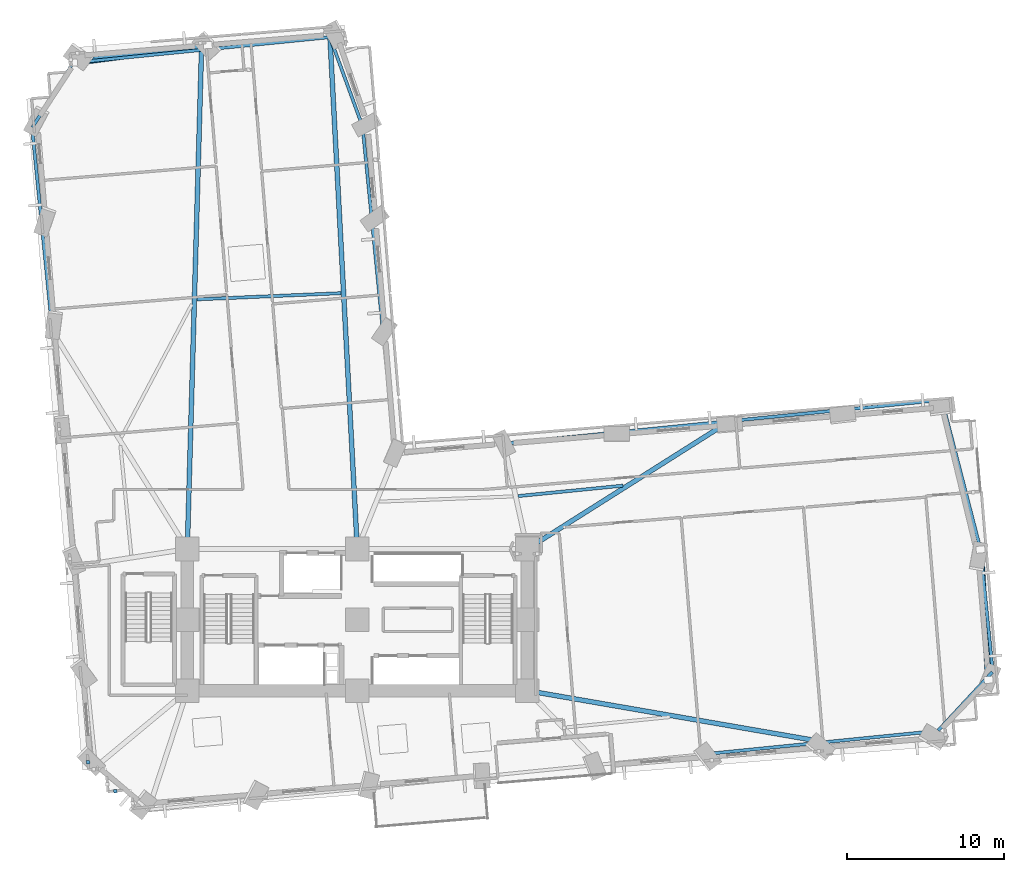
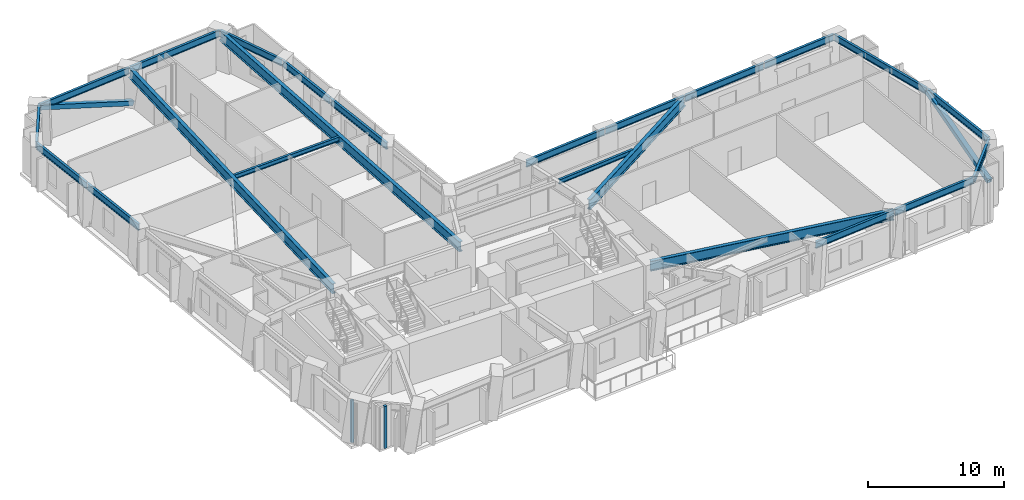
# One storey, part 2 of 14: 23 beams, 2 members, 2 plates.
"""IFC4 building model written with IfcOpenShell, lengths in metres."""

from ifc_helpers import new_model, si_unit, direction, frame, origin, origin_2d, place, context, subcontext, project, spatial, rectangle, hollow_rectangle, i_section, extrude, material, layer, layer_set, material_profile, profile_set, type_object, element, save


model = new_model("IFC4")

# Units and contexts
model_context = context("Model", 3, precision=1e-05, world=origin(), true_north=direction((0.0, 1.0)))
body_context = subcontext(model_context, "Body", "Model", "MODEL_VIEW")
ifc_project = project(units=[si_unit("LENGTHUNIT", "METRE"), si_unit("AREAUNIT", "SQUARE_METRE"), si_unit("VOLUMEUNIT", "CUBIC_METRE"), si_unit("PLANEANGLEUNIT", "RADIAN"), si_unit("MASSUNIT", "GRAM", prefix="KILO")], contexts=[model_context])

# Site, building, storey
site_placement = place(None, origin())
site = spatial("IfcSite", under=ifc_project, at=site_placement, CompositionType="ELEMENT")
building_placement = place(site_placement, origin())
building = spatial("IfcBuilding", under=site, at=building_placement, Name="Gaonmaruhae Medical Tower", CompositionType="ELEMENT")
storey_placement = place(building_placement, frame((0.0, 0.0, 43.0)))
storey = spatial("IfcBuildingStorey", under=building, at=storey_placement, Name="L09", CompositionType="ELEMENT", Elevation=43.0)

# Beams
ifc_material_1 = material(Name="Steel SM355", Category="steel")
ifc_material_profile_1 = material_profile(ifc_material_1, i_section(OverallWidth=0.199951171875, OverallDepth=0.39990234375, WebThickness=0.008056640625, FlangeThickness=0.012939453125, FilletRadius=0.012939453125, at=origin_2d()), Name="H-400x200x8x13")
ifc_profile_set_1 = profile_set([ifc_material_profile_1], Name="Steel SM355")
beam_type_1 = type_object("IfcBeamType", Name="FJ-01 Lower Zone Ward Floor Joist (H-400x200x8x13)", PredefinedType="JOIST", material=ifc_profile_set_1)
beam_1_placement = place(storey_placement, frame((41.69091796875, 20.829345703125, 3.580078125), z_axis=(-0.995057007987, -0.099305341526, 0.0), x_axis=(0.099305341526, -0.995057007987, 0.0)))
element("IfcBeam", 1, at=beam_1_placement, inside=storey, type_object=beam_type_1, Name="L09 Secondary Floor Joist FJ05", PredefinedType="JOIST", context=body_context, shape_type="SweptSolid", body=[
    extrude(i_section(OverallWidth=0.199951171875, OverallDepth=0.39990234375, WebThickness=0.008056640625, FlangeThickness=0.012939453125, FilletRadius=0.012939453125, at=origin_2d()), origin(), (0.0, 0.0, 1.0), 6.701904296875),
])
beam_2_placement = place(storey_placement, frame((23.775146484375, 33.0556640625, 3.580078125), z_axis=(-0.999078663373, -0.042916481598, 0.0), x_axis=(0.042916481598, -0.999078663373, 0.0)))
element("IfcBeam", 2, at=beam_2_placement, inside=storey, type_object=beam_type_1, Name="L09 Secondary Floor Joist FJ08", PredefinedType="JOIST", context=body_context, shape_type="SweptSolid", body=[
    extrude(i_section(OverallWidth=0.199951171875, OverallDepth=0.39990234375, WebThickness=0.008056640625, FlangeThickness=0.012939453125, FilletRadius=0.012939453125, at=origin_2d()), origin(), (0.0, 0.0, 1.0), 9.176025390625),
])

# Members
ifc_material_2 = material(Name="Steel SM420", Category="steel")
ifc_material_profile_2 = material_profile(ifc_material_2, hollow_rectangle(XDim=0.39990234375, YDim=0.39990234375, WallThickness=0.01611328125, at=origin_2d()), Name="RHS-400x400x16")
ifc_profile_set_2 = profile_set([ifc_material_profile_2], Name="Steel SM420")
member_type = type_object("IfcMemberType", Name="PB-01 Perimeter Solid-Bay Tube Brace Lower (RHS-400x400x16)", PredefinedType="BRACE", material=ifc_profile_set_2)
member_1_placement = place(storey_placement, frame((64.908447265625, 8.486572265625, 0.25), z_axis=(-0.056992363314, 0.928239518861, 0.367591167125), x_axis=(-0.998120434533, -0.061282935363, 0.0)))
element("IfcMember", 3, at=member_1_placement, inside=storey, type_object=member_type, Name="L09 Perimeter Tube Solid-Bay Brace E01-E02", PredefinedType="BRACE", context=body_context, shape_type="SweptSolid", body=[
    extrude(hollow_rectangle(XDim=0.39990234375, YDim=0.39990234375, WallThickness=0.01611328125, at=origin_2d()), origin(), (0.0, 0.0, 1.0), 8.923095703125),
])
member_2_placement = place(storey_placement, frame((15.29833984375, 48.81689453125, 0.25), z_axis=(-0.926814106366, -0.121452268034, 0.355337809458), x_axis=(0.129931889057, -0.991522921675, 0.0)))
element("IfcMember", 4, at=member_2_placement, inside=storey, type_object=member_type, Name="L09 Perimeter Tube Solid-Bay Brace N02-N03", PredefinedType="BRACE", context=body_context, shape_type="SweptSolid", body=[
    extrude(hollow_rectangle(XDim=0.39990234375, YDim=0.39990234375, WallThickness=0.01611328125, at=origin_2d()), origin(), (0.0, 0.0, 1.0), 9.230712890625),
])

# Beams
ifc_material_profile_3 = material_profile(ifc_material_2, i_section(OverallWidth=0.300048828125, OverallDepth=0.89990234375, WebThickness=0.01611328125, FlangeThickness=0.028076171875, FilletRadius=0.01806640625, at=origin_2d()), Name="H-900x300x16x28")
ifc_profile_set_3 = profile_set([ifc_material_profile_3], Name="Steel SM420")
beam_type_2 = type_object("IfcBeamType", Name="PG-01 Zone 1 Radial Floor Girder (H-900x300x16x28)", PredefinedType="BEAM", material=ifc_profile_set_3)
beam_3_placement = place(storey_placement, frame((35.649169921875, 7.79150390625, 3.330078125), z_axis=(0.985360749327, -0.170482238623, 0.0), x_axis=(0.170482238623, 0.985360749327, 0.0)))
element("IfcBeam", 5, at=beam_3_placement, inside=storey, type_object=beam_type_2, Name="L09 Radial Primary Girder S07", PredefinedType="BEAM", context=body_context, shape_type="SweptSolid", body=[
    extrude(i_section(OverallWidth=0.300048828125, OverallDepth=0.89990234375, WebThickness=0.01611328125, FlangeThickness=0.028076171875, FilletRadius=0.01806640625, at=origin_2d()), origin(), (0.0, 0.0, 1.0), 19.097900390625),
])
beam_4_placement = place(storey_placement, frame((35.642333984375, 16.82666015625, 3.330078125), z_axis=(0.845370654287, 0.534180172666, 0.0), x_axis=(-0.534180172666, 0.845370654287, 0.0)))
element("IfcBeam", 6, at=beam_4_placement, inside=storey, type_object=beam_type_2, Name="L09 Radial Primary Girder EN02", PredefinedType="BEAM", context=body_context, shape_type="SweptSolid", body=[
    extrude(i_section(OverallWidth=0.300048828125, OverallDepth=0.89990234375, WebThickness=0.01611328125, FlangeThickness=0.028076171875, FilletRadius=0.01806640625, at=origin_2d()), origin(), (0.0, 0.0, 1.0), 15.11328125),
])
beam_5_placement = place(storey_placement, frame((24.79736328125, 16.849853515625, 3.330078125), z_axis=(-0.053360306857, 0.998575323975, 0.0), x_axis=(-0.998575323975, -0.053360306857, 0.0)))
element("IfcBeam", 7, at=beam_5_placement, inside=storey, type_object=beam_type_2, Name="L09 Radial Primary Girder N01", PredefinedType="BEAM", context=body_context, shape_type="SweptSolid", body=[
    extrude(i_section(OverallWidth=0.300048828125, OverallDepth=0.89990234375, WebThickness=0.01611328125, FlangeThickness=0.028076171875, FilletRadius=0.01806640625, at=origin_2d()), origin(), (0.0, 0.0, 1.0), 32.470947265625),
])
beam_6_placement = place(storey_placement, frame((14.00146484375, 16.85009765625, 3.330078125), z_axis=(0.02844957265, 0.999595228988, 0.0), x_axis=(-0.999595228988, 0.02844957265, 0.0)))
element("IfcBeam", 8, at=beam_6_placement, inside=storey, type_object=beam_type_2, Name="L09 Radial Primary Girder N02", PredefinedType="BEAM", context=body_context, shape_type="SweptSolid", body=[
    extrude(i_section(OverallWidth=0.300048828125, OverallDepth=0.89990234375, WebThickness=0.01611328125, FlangeThickness=0.028076171875, FilletRadius=0.01806640625, at=origin_2d()), origin(), (0.0, 0.0, 1.0), 31.622802734375),
])
ifc_material_profile_4 = material_profile(ifc_material_1, i_section(OverallWidth=0.199951171875, OverallDepth=0.60009765625, WebThickness=0.010986328125, FlangeThickness=0.01708984375, FilletRadius=0.012939453125, at=origin_2d()), Name="H-600x200x11x17")
ifc_profile_set_4 = profile_set([ifc_material_profile_4], Name="Steel SM355")
beam_type_3 = type_object("IfcBeamType", Name="SP-01 Lower Perimeter Spandrel Beam (H-600x200x11x17)", PredefinedType="SPANDREL", material=ifc_profile_set_4)
beam_7_placement = place(storey_placement, frame((47.392333984375, 3.816162109375, 3.47998046875), z_axis=(0.995057200754, 0.099303409952, 0.0), x_axis=(-0.099303409952, 0.995057200754, 0.0)))
element("IfcBeam", 9, at=beam_7_placement, inside=storey, type_object=beam_type_3, Name="L09 Perimeter Spandrel Beam S06-S07", PredefinedType="SPANDREL", context=body_context, shape_type="SweptSolid", body=[
    extrude(i_section(OverallWidth=0.199951171875, OverallDepth=0.60009765625, WebThickness=0.010986328125, FlangeThickness=0.01708984375, FilletRadius=0.012939453125, at=origin_2d()), origin(), (0.0, 0.0, 1.0), 7.119873046875),
])
beam_8_placement = place(storey_placement, frame((54.556640625, 4.53125, 3.47998046875), z_axis=(0.995057538874, 0.099300021798, 0.0), x_axis=(-0.099300021798, 0.995057538874, 0.0)))
element("IfcBeam", 10, at=beam_8_placement, inside=storey, type_object=beam_type_3, Name="L09 Perimeter Spandrel Beam S07-S08", PredefinedType="SPANDREL", context=body_context, shape_type="SweptSolid", body=[
    extrude(i_section(OverallWidth=0.199951171875, OverallDepth=0.60009765625, WebThickness=0.010986328125, FlangeThickness=0.01708984375, FilletRadius=0.012939453125, at=origin_2d()), origin(), (0.0, 0.0, 1.0), 7.1201171875),
])
beam_9_placement = place(storey_placement, frame((61.70849609375, 5.271728515625, 3.47998046875), z_axis=(0.680126935443, 0.733094367516, 0.0), x_axis=(-0.733094367516, 0.680126935443, 0.0)))
element("IfcBeam", 11, at=beam_9_placement, inside=storey, type_object=beam_type_3, Name="L09 Perimeter Spandrel Beam S08-E01", PredefinedType="SPANDREL", context=body_context, shape_type="SweptSolid", body=[
    extrude(i_section(OverallWidth=0.199951171875, OverallDepth=0.60009765625, WebThickness=0.010986328125, FlangeThickness=0.01708984375, FilletRadius=0.012939453125, at=origin_2d()), origin(), (0.0, 0.0, 1.0), 5.056396484375),
])
beam_10_placement = place(storey_placement, frame((65.170654296875, 9.047607421875, 3.47998046875), z_axis=(-0.099331506724, 0.995054396388, 0.0), x_axis=(-0.995054396388, -0.099331506724, 0.0)))
element("IfcBeam", 12, at=beam_10_placement, inside=storey, type_object=beam_type_3, Name="L09 Perimeter Spandrel Beam E01-E02", PredefinedType="SPANDREL", context=body_context, shape_type="SweptSolid", body=[
    extrude(i_section(OverallWidth=0.199951171875, OverallDepth=0.60009765625, WebThickness=0.010986328125, FlangeThickness=0.01708984375, FilletRadius=0.012939453125, at=origin_2d()), origin(), (0.0, 0.0, 1.0), 7.719970703125),
])
beam_11_placement = place(storey_placement, frame((64.389892578125, 16.80810546875, 3.47998046875), z_axis=(-0.250228409778, 0.968186832662, 0.0), x_axis=(-0.968186832662, -0.250228409778, 0.0)))
element("IfcBeam", 13, at=beam_11_placement, inside=storey, type_object=beam_type_3, Name="L09 Perimeter Spandrel Beam E02-E03", PredefinedType="SPANDREL", context=body_context, shape_type="SweptSolid", body=[
    extrude(i_section(OverallWidth=0.199951171875, OverallDepth=0.60009765625, WebThickness=0.010986328125, FlangeThickness=0.01708984375, FilletRadius=0.012939453125, at=origin_2d()), origin(), (0.0, 0.0, 1.0), 9.7353515625),
])
beam_12_placement = place(storey_placement, frame((61.904052734375, 26.268310546875, 3.47998046875), z_axis=(-0.995058371432, -0.099291678621, 0.0), x_axis=(0.099291678621, -0.995058371432, 0.0)))
element("IfcBeam", 14, at=beam_12_placement, inside=storey, type_object=beam_type_3, Name="L09 Perimeter Spandrel Beam E03-EN01", PredefinedType="SPANDREL", context=body_context, shape_type="SweptSolid", body=[
    extrude(i_section(OverallWidth=0.199951171875, OverallDepth=0.60009765625, WebThickness=0.010986328125, FlangeThickness=0.01708984375, FilletRadius=0.012939453125, at=origin_2d()), origin(), (0.0, 0.0, 1.0), 6.27001953125),
])
for number, where, z_axis, x_axis, name in (
    (15, (55.58544921875, 25.6376953125, 3.47998046875), (-0.995057200754, -0.099303409952, 0.0), (0.099303409952, -0.995057200754, 0.0), "L09 Perimeter Spandrel Beam EN01-EN02"),
    (16, (48.421142578125, 24.922607421875, 3.47998046875), (-0.995057200754, -0.099303409952, 0.0), (0.099303409952, -0.995057200754, 0.0), "L09 Perimeter Spandrel Beam EN02-EN03"),
    (17, (41.256591796875, 24.20751953125, 3.47998046875), (-0.995057200754, -0.099303409952, 0.0), (0.099303409952, -0.995057200754, 0.0), "L09 Perimeter Spandrel Beam EN03-EN04"),
    (18, (26.44287109375, 30.5576171875, 3.47998046875), (-0.099337361492, 0.995053811918, 0.0), (-0.995053811918, -0.099337361492, 0.0), "L09 Perimeter Spandrel Beam NE01-NE02"),
):
    element("IfcBeam", number, at=place(storey_placement, frame(where, z_axis=z_axis, x_axis=x_axis)), inside=storey, type_object=beam_type_3, Name=name, PredefinedType="SPANDREL", context=body_context, shape_type="SweptSolid", body=[
        extrude(i_section(OverallWidth=0.199951171875, OverallDepth=0.60009765625, WebThickness=0.010986328125, FlangeThickness=0.01708984375, FilletRadius=0.012939453125, at=origin_2d()), origin(), (0.0, 0.0, 1.0), 7.119873046875),
    ])
beam_13_placement = place(storey_placement, frame((25.727783203125, 37.721923828125, 3.47998046875), z_axis=(-0.099344478481, 0.995053101395, 0.0), x_axis=(-0.995053101395, -0.099344478481, 0.0)))
element("IfcBeam", 19, at=beam_13_placement, inside=storey, type_object=beam_type_3, Name="L09 Perimeter Spandrel Beam NE02-NE03", PredefinedType="SPANDREL", context=body_context, shape_type="SweptSolid", body=[
    extrude(i_section(OverallWidth=0.199951171875, OverallDepth=0.60009765625, WebThickness=0.010986328125, FlangeThickness=0.01708984375, FilletRadius=0.012939453125, at=origin_2d()), origin(), (0.0, 0.0, 1.0), 5.920166015625),
])
beam_14_placement = place(storey_placement, frame((25.1220703125, 43.690185546875, 3.47998046875), z_axis=(-0.343357677431, 0.939204719616, 0.0), x_axis=(-0.939204719616, -0.343357677431, 0.0)))
element("IfcBeam", 20, at=beam_14_placement, inside=storey, type_object=beam_type_3, Name="L09 Perimeter Spandrel Beam NE03-N01", PredefinedType="SPANDREL", context=body_context, shape_type="SweptSolid", body=[
    extrude(i_section(OverallWidth=0.199951171875, OverallDepth=0.60009765625, WebThickness=0.010986328125, FlangeThickness=0.01708984375, FilletRadius=0.012939453125, at=origin_2d()), origin(), (0.0, 0.0, 1.0), 5.959228515625),
])
beam_15_placement = place(storey_placement, frame((23.022216796875, 49.320556640625, 3.47998046875), z_axis=(-0.995056521234, -0.099310218753, 0.0), x_axis=(0.099310218753, -0.995056521234, 0.0)))
element("IfcBeam", 21, at=beam_15_placement, inside=storey, type_object=beam_type_3, Name="L09 Perimeter Spandrel Beam N01-N02", PredefinedType="SPANDREL", context=body_context, shape_type="SweptSolid", body=[
    extrude(i_section(OverallWidth=0.199951171875, OverallDepth=0.60009765625, WebThickness=0.010986328125, FlangeThickness=0.01708984375, FilletRadius=0.012939453125, at=origin_2d()), origin(), (0.0, 0.0, 1.0), 8.119873046875),
])
beam_16_placement = place(storey_placement, frame((14.86279296875, 48.50634765625, 3.47998046875), z_axis=(-0.995053549631, -0.099339988759, 0.0), x_axis=(0.099339988759, -0.995053549631, 0.0)))
element("IfcBeam", 22, at=beam_16_placement, inside=storey, type_object=beam_type_3, Name="L09 Perimeter Spandrel Beam N02-N03", PredefinedType="SPANDREL", context=body_context, shape_type="SweptSolid", body=[
    extrude(i_section(OverallWidth=0.199951171875, OverallDepth=0.60009765625, WebThickness=0.010986328125, FlangeThickness=0.01708984375, FilletRadius=0.012939453125, at=origin_2d()), origin(), (0.0, 0.0, 1.0), 8.1201171875),
])
beam_17_placement = place(storey_placement, frame((6.721923828125, 47.661865234375, 3.47998046875), z_axis=(-0.533277189167, -0.845940565001, 0.0), x_axis=(0.845940565001, -0.533277189167, 0.0)))
element("IfcBeam", 23, at=beam_17_placement, inside=storey, type_object=beam_type_3, Name="L09 Perimeter Spandrel Beam N03-W01", PredefinedType="SPANDREL", context=body_context, shape_type="SweptSolid", body=[
    extrude(i_section(OverallWidth=0.199951171875, OverallDepth=0.60009765625, WebThickness=0.010986328125, FlangeThickness=0.01708984375, FilletRadius=0.012939453125, at=origin_2d()), origin(), (0.0, 0.0, 1.0), 4.800537109375),
])
beam_18_placement = place(storey_placement, frame((4.144287109375, 43.527099609375, 3.47998046875), z_axis=(0.09931630707, -0.99505591358, 0.0), x_axis=(0.99505591358, 0.09931630707, 0.0)))
element("IfcBeam", 24, at=beam_18_placement, inside=storey, type_object=beam_type_3, Name="L09 Perimeter Spandrel Beam W01-W02", PredefinedType="SPANDREL", context=body_context, shape_type="SweptSolid", body=[
    extrude(i_section(OverallWidth=0.199951171875, OverallDepth=0.60009765625, WebThickness=0.010986328125, FlangeThickness=0.01708984375, FilletRadius=0.012939453125, at=origin_2d()), origin(), (0.0, 0.0, 1.0), 6.320068359375),
])
beam_19_placement = place(storey_placement, frame((4.780029296875, 37.15869140625, 3.47998046875), z_axis=(0.099303517272, -0.995057190044, 0.0), x_axis=(0.995057190044, 0.099303517272, 0.0)))
element("IfcBeam", 25, at=beam_19_placement, inside=storey, type_object=beam_type_3, Name="L09 Perimeter Spandrel Beam W02-W03", PredefinedType="SPANDREL", context=body_context, shape_type="SweptSolid", body=[
    extrude(i_section(OverallWidth=0.199951171875, OverallDepth=0.60009765625, WebThickness=0.010986328125, FlangeThickness=0.01708984375, FilletRadius=0.012939453125, at=origin_2d()), origin(), (0.0, 0.0, 1.0), 6.52001953125),
])

# Plates
ifc_material_3 = material(Name="Anodised aluminium 6063-T6", Category="aluminium")
ifc_layer = layer(ifc_material_3, 0.011962890625)
ifc_layer_set = layer_set([ifc_layer], Name="Anodised aluminium 6063-T6")
plate_type = type_object("IfcPlateType", Name="PP-01 Interior Partition Corner Stiffener Plate", PredefinedType="SHEET", material=ifc_layer_set)
for number, where, z_axis, x_axis, name in (
    (26, (9.43310546875, 1.41845703125, 0.0), (0.0, 0.0, 1.0), (-0.996602977062, -0.082355971922, 0.0), "L09 Partition Corner Stiffener Plate PLT-L09-JGP-PW010"),
    (27, (7.694091796875, 3.260498046875, 0.0), (0.0, 0.0, 1.0), (-0.083312604011, 0.996523461848, 0.0), "L09 Partition Corner Stiffener Plate PLT-L09-JGP-PW013"),
):
    element("IfcPlate", number, at=place(storey_placement, frame(where, z_axis=z_axis, x_axis=x_axis)), inside=storey, type_object=plate_type, Name=name, PredefinedType="SHEET", context=body_context, shape_type="SweptSolid", body=[
        extrude(rectangle(XDim=0.219970703125, YDim=0.219970703125, at=origin_2d()), origin(), (0.0, 0.0, 1.0), 3.780029296875),
    ])

save(model, "model.ifc")
